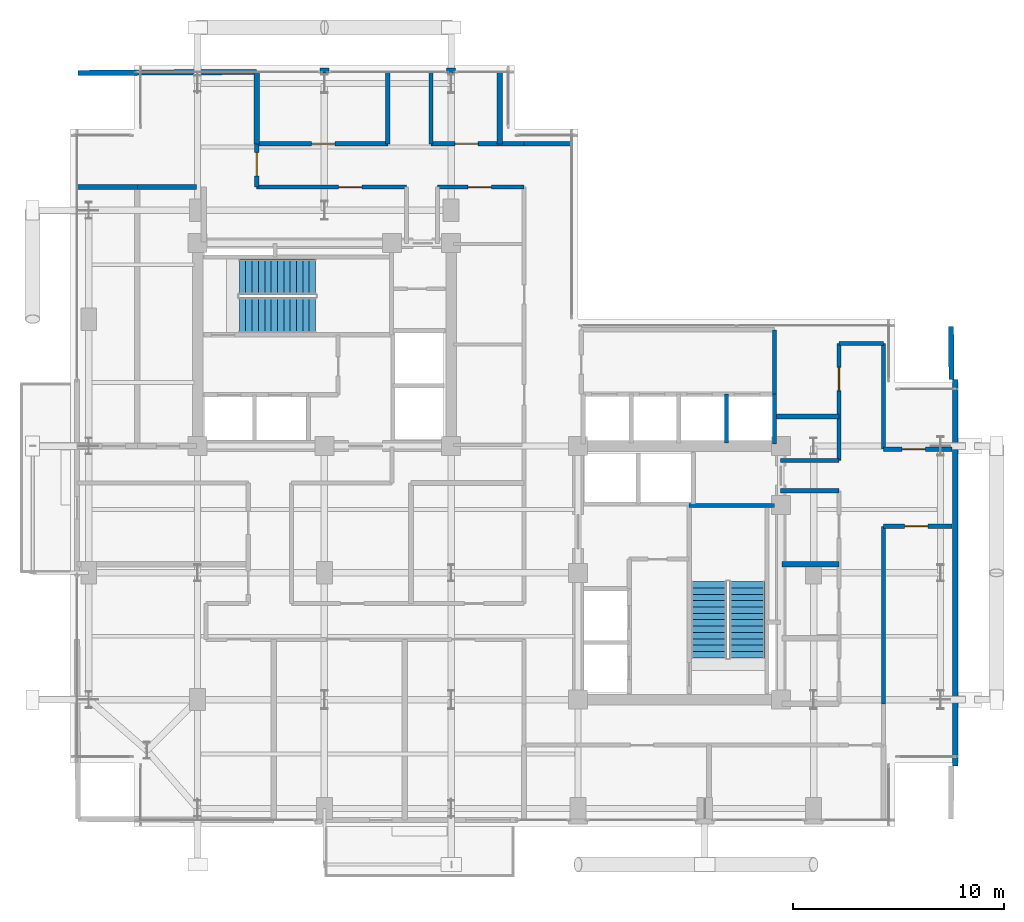
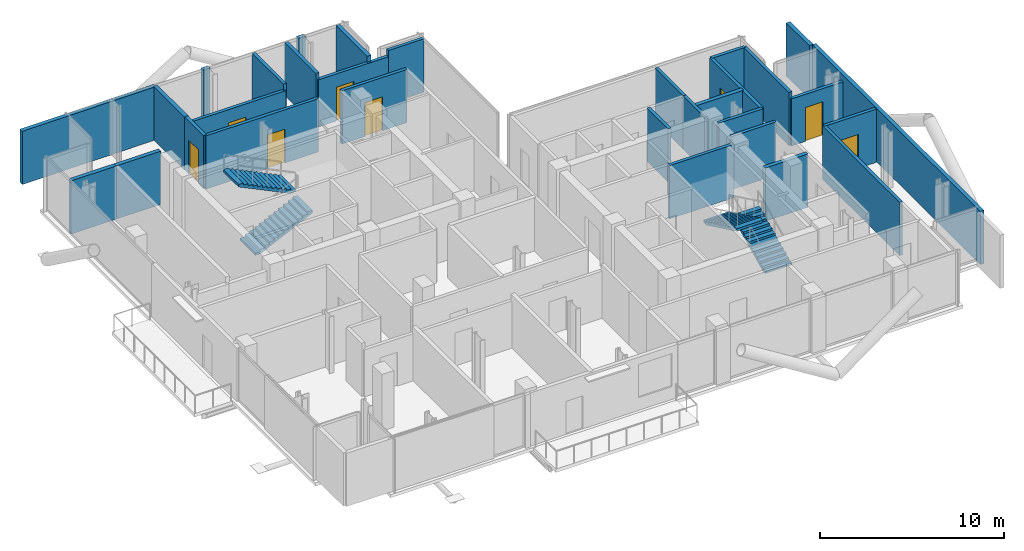
# One storey, part 19 of 21: 31 walls, 8 doors, 4 stair flights, 8 openings, 2 elements without a shape of their own.
"""IFC4 building model written with IfcOpenShell, lengths in metres."""

from ifc_helpers import new_model, si_unit, direction, frame, frame_2d, origin, place, context, subcontext, project, spatial, polyline, rectangle, outline, extrude, material, layer, layer_set, type_object, element, fill, aggregate, save


model = new_model("IFC4")

# Units and contexts
model_context = context("Model", 3, precision=1e-05, world=origin(), true_north=direction((0.0, 1.0)))
body_context = subcontext(model_context, "Body", "Model", "MODEL_VIEW")
ifc_project = project(units=[si_unit("LENGTHUNIT", "METRE"), si_unit("AREAUNIT", "SQUARE_METRE"), si_unit("VOLUMEUNIT", "CUBIC_METRE"), si_unit("PLANEANGLEUNIT", "RADIAN"), si_unit("MASSUNIT", "GRAM", prefix="KILO"), si_unit("THERMODYNAMICTEMPERATUREUNIT", "KELVIN"), si_unit("POWERUNIT", "WATT")], contexts=[model_context])

# Site, building, storey
site_placement = place(None, origin())
site = spatial("IfcSite", under=ifc_project, at=site_placement, CompositionType="ELEMENT")
building_placement = place(site_placement, origin())
building = spatial("IfcBuilding", under=site, at=building_placement, Name="Svarakhadi Broadcast Tower", CompositionType="ELEMENT")
storey_placement = place(building_placement, frame((0.0, 0.0, 187.949951171875)))
storey = spatial("IfcBuildingStorey", under=building, at=storey_placement, Name="L46", CompositionType="ELEMENT", Elevation=187.949951171875)

# Walls
ifc_material_1 = material(Name="Double-Stud Acoustic Studio Partition STC-62", Category="gypsum")
ifc_layer_1 = layer(ifc_material_1, 0.25)
ifc_layer_set_1 = layer_set([ifc_layer_1], Name="Double-Stud Acoustic Studio Partition STC-62")
wall_type_1 = type_object("IfcWallType", Name="Wall_Acoust_250", PredefinedType="PARTITIONING", material=ifc_layer_set_1)
wall_1_placement = place(storey_placement, frame((0.300048828125, 30.25, 0.0), z_axis=(0.0, 0.0, 1.0), x_axis=(1.0, 0.0, 0.0)))
element("IfcWall", 1, at=wall_1_placement, inside=storey, type_object=wall_type_1, Name="L46 Diplomatic Sunset Lounge Wall", PredefinedType="PARTITIONING", context=body_context, shape_type="SweptSolid", body=[
    extrude(rectangle(XDim=2.849853515625, YDim=0.25, at=frame_2d((1.4248046875, 0.0))), origin(), (0.0, 0.0, 1.0), 3.5400390625),
])
wall_2_placement = place(storey_placement, frame((3.14990234375, 30.25, 0.0), z_axis=(0.0, 0.0, 1.0), x_axis=(1.0, 0.0, 0.0)))
element("IfcWall", 2, at=wall_2_placement, inside=storey, type_object=wall_type_1, Name="L46 Ambassador Protocol Study Wall", PredefinedType="PARTITIONING", context=body_context, shape_type="SweptSolid", body=[
    extrude(rectangle(XDim=2.800048828125, YDim=0.25, at=frame_2d((1.39990234375, 0.0))), origin(), (0.0, 0.0, 1.0), 3.5400390625),
])
wall_3_placement = place(storey_placement, frame((33.64990234375, 12.39990234375, 0.0), z_axis=(0.0, 0.0, 1.0), x_axis=(1.0, 0.0, 0.0)))
element("IfcWall", 3, at=wall_3_placement, inside=storey, type_object=wall_type_1, Name="L46 VIP Cigar Lounge Wall", PredefinedType="PARTITIONING", context=body_context, shape_type="SweptSolid", body=[
    extrude(rectangle(XDim=2.7001953125, YDim=0.25, at=frame_2d((1.35009765625, 0.0))), origin(), (0.0, 0.0, 1.0), 3.5400390625),
])
wall_4_placement = place(storey_placement, frame((41.671630859375, 21.14990234375, 0.0), z_axis=(0.0, 0.0, 1.0), x_axis=(-0.008691077992, 0.999962231868, 0.0)))
element("IfcWall", 4, at=wall_4_placement, inside=storey, type_object=wall_type_1, Name="L46 Hotel Harbour Panorama Suite Wall", PredefinedType="PARTITIONING", context=body_context, shape_type="SweptSolid", body=[
    extrude(rectangle(XDim=2.5, YDim=0.25, at=frame_2d((1.25, 0.0))), origin(), (0.0, 0.0, 1.0), 3.5400390625),
])
wall_5_placement = place(storey_placement, frame((33.35009765625, 19.39990234375, 0.0), z_axis=(0.0, 0.0, 1.0), x_axis=(1.0, 0.0, 0.0)))
element("IfcWall", 5, at=wall_5_placement, inside=storey, type_object=wall_type_1, Name="L46 Harbour Sunset Reading Lounge Wall", PredefinedType="PARTITIONING", context=body_context, shape_type="SweptSolid", body=[
    extrude(rectangle(XDim=3.0, YDim=0.25, at=frame_2d((1.5, 0.0))), origin(), (0.0, 0.0, 1.0), 3.5400390625),
])
wall_6_placement = place(storey_placement, frame((0.35009765625, 35.64990234375, 0.0), z_axis=(0.0, 0.0, 1.0), x_axis=(0.99998245966, 0.005922868574, 0.0)))
element("IfcWall", 6, at=wall_6_placement, inside=storey, type_object=wall_type_1, Name="L46 Hospitality Seminar Salon Wall", PredefinedType="PARTITIONING", context=body_context, shape_type="SweptSolid", body=[
    extrude(rectangle(XDim=8.4501953125, YDim=0.25, at=frame_2d((4.22509765625, 0.0))), origin(), (0.0, 0.0, 1.0), 3.5400390625),
])
for number, where, z_axis, x_axis, name in (
    (7, (8.800048828125, 32.300048828125, 0.0), (0.0, 0.0, 1.0), (0.0, 1.0, 0.0), "L46 Event Concierge Office Wall"),
    (8, (20.300048828125, 32.300048828125, 0.0), (0.0, 0.0, 1.0), (0.0, 1.0, 0.0), "L46 VIP Tea Ceremony Salon Wall"),
):
    element("IfcWall", number, at=place(storey_placement, frame(where, z_axis=z_axis, x_axis=x_axis)), inside=storey, type_object=wall_type_1, Name=name, PredefinedType="PARTITIONING", context=body_context, shape_type="SweptSolid", body=[
        extrude(rectangle(XDim=3.39990234375, YDim=0.25, at=frame_2d((1.699951171875, 0.0))), origin(), (0.0, 0.0, 1.0), 3.5400390625),
    ])
ifc_material_2 = material(Name="Concrete C40/50 (IS 456 M50)", Category="concrete")
ifc_layer_2 = layer(ifc_material_2, 0.239990234375)
ifc_layer_set_2 = layer_set([ifc_layer_2], Name="Concrete C40/50 (IS 456 M50)")
wall_type_2 = type_object("IfcWallType", Name="Wall_Ext_240", PredefinedType="SOLIDWALL", material=ifc_layer_set_2)
wall_7_placement = place(storey_placement, frame((41.85009765625, 21.14990234375, 0.0), z_axis=(0.0, 0.0, 1.0), x_axis=(0.0, -1.0, 0.0)))
element("IfcWall", 9, at=wall_7_placement, inside=storey, type_object=wall_type_2, Name="L46 Sky-Pool Raker Anchor Exterior Wall", PredefinedType="SOLIDWALL", context=body_context, shape_type="SweptSolid", body=[
    extrude(rectangle(XDim=18.2998046875, YDim=0.239990234375, at=frame_2d((9.14990234375, 0.0))), origin(), (0.0, 0.0, 1.0), 3.5400390625),
])
for number, where, z_axis, x_axis, name in (
    (10, (11.784912109375, 35.760009765625, 0.0), (0.0, 0.0, 1.0), (1.0, 0.0, 0.0), "L46 Perimeter Bronze Spandrel Closure Wall 01"),
    (11, (17.784912109375, 35.760009765625, 0.0), (0.0, 0.0, 1.0), (1.0, 0.0, 0.0), "L46 Perimeter Bronze Spandrel Closure Wall 02"),
):
    element("IfcWall", number, at=place(storey_placement, frame(where, z_axis=z_axis, x_axis=x_axis)), inside=storey, type_object=wall_type_2, Name=name, PredefinedType="SOLIDWALL", context=body_context, shape_type="SweptSolid", body=[
        extrude(rectangle(XDim=0.43017578125, YDim=0.239990234375, at=frame_2d((0.215087890625, 0.0))), origin(), (0.0, 0.0, 1.0), 3.5400390625),
    ])
ifc_layer_3 = layer(ifc_material_2, 0.199951171875)
ifc_layer_set_3 = layer_set([ifc_layer_3], Name="Concrete C40/50 (IS 456 M50)")
wall_type_3 = type_object("IfcWallType", Name="Wall_Fire_200", PredefinedType="SOLIDWALL", material=ifc_layer_set_3)
for number, where, z_axis, x_axis, name in (
    (12, (36.35009765625, 15.8798828125, 0.0), (0.0, 0.0, 1.0), (-1.0, 0.0, 0.0), "L46 Zone 2/3 Corridor Wall"),
    (13, (33.580078125, 17.320068359375, 0.0), (0.0, 0.0, 1.0), (1.0, 0.0, 0.0), "L46 Zone 2/3 Corridor Wall"),
):
    element("IfcWall", number, at=place(storey_placement, frame(where, z_axis=z_axis, x_axis=x_axis)), inside=storey, type_object=wall_type_3, Name=name, PredefinedType="SOLIDWALL", context=body_context, shape_type="SweptSolid", body=[
        extrude(rectangle(XDim=2.77001953125, YDim=0.199951171875, at=frame_2d((1.385009765625, 0.0))), origin(), (0.0, 0.0, 1.0), 3.5400390625),
    ])

# Wall, opening, door
wall_8_placement = place(storey_placement, frame((36.35009765625, 17.320068359375, 0.0), z_axis=(0.0, 0.0, 1.0), x_axis=(0.0, 1.0, 0.0)))
wall_8 = element("IfcWall", 14, at=wall_8_placement, inside=storey, type_object=wall_type_3, Name="L46 Zone 2/3 Corridor Wall", PredefinedType="SOLIDWALL", context=body_context, shape_type="SweptSolid", body=[
    extrude(rectangle(XDim=5.530029296875, YDim=0.199951171875, at=frame_2d((2.76513671875, 0.0))), origin(), (0.0, 0.0, 1.0), 3.5400390625),
])
opening_1_placement = place(wall_8_placement, frame((3.304931640625, 0.0, 0.0)))
opening_1 = element("IfcOpeningElement", 15, at=opening_1_placement, cuts=wall_8, Name="Opening D-11", PredefinedType="OPENING", context=body_context, shape_type="SweptSolid", body=[
    extrude(rectangle(XDim=1.10009765625, YDim=2.25, at=frame_2d((0.550048828125, 1.125))), frame((0.0, 0.10986328125, 0.0), z_axis=(0.0, -1.0, 0.0), x_axis=(1.0, 0.0, 0.0)), (0.0, 0.0, 1.0), 0.219970703125),
])
ifc_material_3 = material(Name="Solid-Core Teak Veneer Acoustic Timber Leaf", Category="wood")
door_type_1 = type_object("IfcDoorType", Name="Door_Acoust_D11", OperationType="SINGLE_SWING_RIGHT", PredefinedType="DOOR", material=ifc_material_3)
door_1_placement = place(opening_1_placement, origin())
door_1 = element("IfcDoor", 16, at=door_1_placement, inside=storey, type_object=door_type_1, Name="L46 Harbour Sunset Reading Lounge Door", OperationType="SINGLE_SWING_RIGHT", OverallHeight=2.25, OverallWidth=1.10009765625, PredefinedType="DOOR", context=body_context, shape_type="SweptSolid", body=[
    extrude(rectangle(XDim=1.10009765625, YDim=2.25, at=frame_2d((0.550048828125, 1.125))), frame((0.0, 0.02490234375, 0.0), z_axis=(0.0, -1.0, 0.0), x_axis=(1.0, 0.0, 0.0)), (0.0, 0.0, 1.0), 0.050048828125),
])
fill(opening_1, door_1)

# Walls
wall_9_placement = place(storey_placement, frame((36.35009765625, 22.85009765625, 0.0), z_axis=(0.0, 0.0, 1.0), x_axis=(1.0, 0.0, 0.0)))
element("IfcWall", 17, at=wall_9_placement, inside=storey, type_object=wall_type_3, Name="L46 Zone 2/3 Corridor Wall", PredefinedType="SOLIDWALL", context=body_context, shape_type="SweptSolid", body=[
    extrude(rectangle(XDim=2.099853515625, YDim=0.199951171875, at=frame_2d((1.0498046875, 0.0))), origin(), (0.0, 0.0, 1.0), 3.5400390625),
])
wall_10_placement = place(storey_placement, frame((38.449951171875, 22.85009765625, 0.0), z_axis=(0.0, 0.0, 1.0), x_axis=(0.0, -1.0, 0.0)))
element("IfcWall", 18, at=wall_10_placement, inside=storey, type_object=wall_type_3, Name="L46 Zone 2/3 Corridor Wall", PredefinedType="SOLIDWALL", context=body_context, shape_type="SweptSolid", body=[
    extrude(rectangle(XDim=5.0, YDim=0.199951171875, at=frame_2d((2.5, 0.0))), origin(), (0.0, 0.0, 1.0), 3.5400390625),
])

# Wall, opening, door
wall_11_placement = place(storey_placement, frame((38.449951171875, 17.85009765625, 0.0), z_axis=(0.0, 0.0, 1.0), x_axis=(1.0, 0.0, 0.0)))
wall_11 = element("IfcWall", 19, at=wall_11_placement, inside=storey, type_object=wall_type_3, Name="L46 Zone 2/3 Corridor Wall", PredefinedType="SOLIDWALL", context=body_context, shape_type="SweptSolid", body=[
    extrude(rectangle(XDim=3.25, YDim=0.199951171875, at=frame_2d((1.625, 0.0))), origin(), (0.0, 0.0, 1.0), 3.132080078125),
])
opening_2_placement = place(wall_11_placement, frame((0.8798828125, 0.0, 0.0)))
opening_2 = element("IfcOpeningElement", 20, at=opening_2_placement, cuts=wall_11, Name="Opening D-10", PredefinedType="OPENING", context=body_context, shape_type="SweptSolid", body=[
    extrude(rectangle(XDim=1.10009765625, YDim=2.25, at=frame_2d((0.550048828125, 1.125))), frame((0.0, 0.10986328125, 0.0), z_axis=(0.0, -1.0, 0.0), x_axis=(1.0, 0.0, 0.0)), (0.0, 0.0, 1.0), 0.219970703125),
])
door_type_2 = type_object("IfcDoorType", Name="Door_Acoust_D10", OperationType="SINGLE_SWING_LEFT", PredefinedType="DOOR", material=ifc_material_3)
door_2_placement = place(opening_2_placement, origin())
door_2 = element("IfcDoor", 21, at=door_2_placement, inside=storey, type_object=door_type_2, Name="L46 Hotel Harbour Panorama Suite Door", OperationType="SINGLE_SWING_LEFT", OverallHeight=2.25, OverallWidth=1.10009765625, PredefinedType="DOOR", context=body_context, shape_type="SweptSolid", body=[
    extrude(rectangle(XDim=1.10009765625, YDim=2.25, at=frame_2d((0.550048828125, 1.125))), frame((0.0, 0.02490234375, 0.0), z_axis=(0.0, -1.0, 0.0), x_axis=(1.0, 0.0, 0.0)), (0.0, 0.0, 1.0), 0.050048828125),
])
fill(opening_2, door_2)

wall_12_placement = place(storey_placement, frame((41.699951171875, 14.199951171875, 0.0), z_axis=(0.0, 0.0, 1.0), x_axis=(-1.0, 0.0, 0.0)))
wall_12 = element("IfcWall", 22, at=wall_12_placement, inside=storey, type_object=wall_type_3, Name="L46 Zone 2/3 Corridor Wall", PredefinedType="SOLIDWALL", context=body_context, shape_type="SweptSolid", body=[
    extrude(rectangle(XDim=3.25, YDim=0.199951171875, at=frame_2d((1.625, 0.0))), origin(), (0.0, 0.0, 1.0), 3.5400390625),
])
opening_3_placement = place(wall_12_placement, frame((1.14990234375, 0.0, 0.0)))
opening_3 = element("IfcOpeningElement", 23, at=opening_3_placement, cuts=wall_12, Name="Opening D-11", PredefinedType="OPENING", context=body_context, shape_type="SweptSolid", body=[
    extrude(rectangle(XDim=1.10009765625, YDim=2.25, at=frame_2d((0.550048828125, 1.125))), frame((0.0, 0.10986328125, 0.0), z_axis=(0.0, -1.0, 0.0), x_axis=(1.0, 0.0, 0.0)), (0.0, 0.0, 1.0), 0.219970703125),
])
door_3_placement = place(opening_3_placement, origin())
door_3 = element("IfcDoor", 24, at=door_3_placement, inside=storey, type_object=door_type_1, Name="L46 East Harbour Press Salon Door", OperationType="SINGLE_SWING_RIGHT", OverallHeight=2.25, OverallWidth=1.10009765625, PredefinedType="DOOR", context=body_context, shape_type="SweptSolid", body=[
    extrude(rectangle(XDim=1.10009765625, YDim=2.25, at=frame_2d((0.550048828125, 1.125))), frame((0.0, 0.02490234375, 0.0), z_axis=(0.0, -1.0, 0.0), x_axis=(1.0, 0.0, 0.0)), (0.0, 0.0, 1.0), 0.050048828125),
])
fill(opening_3, door_3)

# Wall
wall_13_placement = place(storey_placement, frame((38.449951171875, 14.199951171875, 0.0), z_axis=(0.0, 0.0, 1.0), x_axis=(0.0, -1.0, 0.0)))
element("IfcWall", 25, at=wall_13_placement, inside=storey, type_object=wall_type_3, Name="L46 Zone 2/3 Corridor Wall", PredefinedType="SOLIDWALL", context=body_context, shape_type="SweptSolid", body=[
    extrude(rectangle(XDim=8.39990234375, YDim=0.199951171875, at=frame_2d((4.199951171875, 0.0))), origin(), (0.0, 0.0, 1.0), 3.5400390625),
])

# Wall, opening, door
wall_14_placement = place(storey_placement, frame((21.449951171875, 30.25, 0.0), z_axis=(0.0, 0.0, 1.0), x_axis=(-1.0, 0.0, 0.0)))
wall_14 = element("IfcWall", 26, at=wall_14_placement, inside=storey, type_object=wall_type_3, Name="L46 Zone 2/3 Corridor Wall", PredefinedType="SOLIDWALL", context=body_context, shape_type="SweptSolid", body=[
    extrude(rectangle(XDim=4.099853515625, YDim=0.199951171875, at=frame_2d((2.0498046875, 0.0))), origin(), (0.0, 0.0, 1.0), 3.5400390625),
])
opening_4_placement = place(wall_14_placement, frame((1.550048828125, 0.0, 0.0)))
opening_4 = element("IfcOpeningElement", 27, at=opening_4_placement, cuts=wall_14, Name="Opening D-10", PredefinedType="OPENING", context=body_context, shape_type="SweptSolid", body=[
    extrude(rectangle(XDim=1.10009765625, YDim=2.25, at=frame_2d((0.550048828125, 1.125))), frame((0.0, 0.10986328125, 0.0), z_axis=(0.0, -1.0, 0.0), x_axis=(1.0, 0.0, 0.0)), (0.0, 0.0, 1.0), 0.219970703125),
])
door_4_placement = place(opening_4_placement, origin())
door_4 = element("IfcDoor", 28, at=door_4_placement, inside=storey, type_object=door_type_2, Name="L46 Guest Quiet Study Door", OperationType="SINGLE_SWING_LEFT", OverallHeight=2.25, OverallWidth=1.10009765625, PredefinedType="DOOR", context=body_context, shape_type="SweptSolid", body=[
    extrude(rectangle(XDim=1.10009765625, YDim=2.25, at=frame_2d((0.550048828125, 1.125))), frame((0.0, 0.02490234375, 0.0), z_axis=(0.0, -1.0, 0.0), x_axis=(1.0, 0.0, 0.0)), (0.0, 0.0, 1.0), 0.050048828125),
])
fill(opening_4, door_4)

wall_15_placement = place(storey_placement, frame((15.8798828125, 30.25, 0.0), z_axis=(0.0, 0.0, 1.0), x_axis=(-1.0, 0.0, 0.0)))
wall_15 = element("IfcWall", 29, at=wall_15_placement, inside=storey, type_object=wall_type_3, Name="L46 Zone 2/3 Corridor Wall", PredefinedType="SOLIDWALL", context=body_context, shape_type="SweptSolid", body=[
    extrude(rectangle(XDim=7.079833984375, YDim=0.199951171875, at=frame_2d((3.5400390625, 0.0))), origin(), (0.0, 0.0, 1.0), 3.5400390625),
])
opening_5_placement = place(wall_15_placement, frame((2.110107421875, 0.0, 0.0)))
opening_5 = element("IfcOpeningElement", 30, at=opening_5_placement, cuts=wall_15, Name="Opening D-10", PredefinedType="OPENING", context=body_context, shape_type="SweptSolid", body=[
    extrude(rectangle(XDim=1.10009765625, YDim=2.25, at=frame_2d((0.550048828125, 1.125))), frame((0.0, 0.10986328125, 0.0), z_axis=(0.0, -1.0, 0.0), x_axis=(1.0, 0.0, 0.0)), (0.0, 0.0, 1.0), 0.219970703125),
])
door_5_placement = place(opening_5_placement, origin())
door_5 = element("IfcDoor", 31, at=door_5_placement, inside=storey, type_object=door_type_2, Name="L46 Guest Library Study Door", OperationType="SINGLE_SWING_LEFT", OverallHeight=2.25, OverallWidth=1.10009765625, PredefinedType="DOOR", context=body_context, shape_type="SweptSolid", body=[
    extrude(rectangle(XDim=1.10009765625, YDim=2.25, at=frame_2d((0.550048828125, 1.125))), frame((0.0, 0.02490234375, 0.0), z_axis=(0.0, -1.0, 0.0), x_axis=(1.0, 0.0, 0.0)), (0.0, 0.0, 1.0), 0.050048828125),
])
fill(opening_5, door_5)

wall_16_placement = place(storey_placement, frame((8.800048828125, 30.25, 0.0), z_axis=(0.0, 0.0, 1.0), x_axis=(0.0, 1.0, 0.0)))
wall_16 = element("IfcWall", 32, at=wall_16_placement, inside=storey, type_object=wall_type_3, Name="L46 Zone 2/3 Corridor Wall", PredefinedType="SOLIDWALL", context=body_context, shape_type="SweptSolid", body=[
    extrude(rectangle(XDim=2.050048828125, YDim=0.199951171875, at=frame_2d((1.02490234375, 0.0))), origin(), (0.0, 0.0, 1.0), 3.5400390625),
])
opening_6_placement = place(wall_16_placement, frame((0.52490234375, 0.0, 0.0)))
opening_6 = element("IfcOpeningElement", 33, at=opening_6_placement, cuts=wall_16, Name="Opening D-11", PredefinedType="OPENING", context=body_context, shape_type="SweptSolid", body=[
    extrude(rectangle(XDim=1.10009765625, YDim=2.25, at=frame_2d((0.550048828125, 1.125))), frame((0.0, 0.10986328125, 0.0), z_axis=(0.0, -1.0, 0.0), x_axis=(1.0, 0.0, 0.0)), (0.0, 0.0, 1.0), 0.219970703125),
])
door_6_placement = place(opening_6_placement, origin())
door_6 = element("IfcDoor", 34, at=door_6_placement, inside=storey, type_object=door_type_1, Name="L46 Hospitality Seminar Salon Door", OperationType="SINGLE_SWING_RIGHT", OverallHeight=2.25, OverallWidth=1.10009765625, PredefinedType="DOOR", context=body_context, shape_type="SweptSolid", body=[
    extrude(rectangle(XDim=1.10009765625, YDim=2.25, at=frame_2d((0.550048828125, 1.125))), frame((0.0, 0.02490234375, 0.0), z_axis=(0.0, -1.0, 0.0), x_axis=(1.0, 0.0, 0.0)), (0.0, 0.0, 1.0), 0.050048828125),
])
fill(opening_6, door_6)

wall_17_placement = place(storey_placement, frame((8.800048828125, 32.300048828125, 0.0), z_axis=(0.0, 0.0, 1.0), x_axis=(1.0, 0.0, 0.0)))
wall_17 = element("IfcWall", 35, at=wall_17_placement, inside=storey, type_object=wall_type_3, Name="L46 Zone 2/3 Corridor Wall", PredefinedType="SOLIDWALL", context=body_context, shape_type="SweptSolid", body=[
    extrude(rectangle(XDim=6.199951171875, YDim=0.199951171875, at=frame_2d((3.10009765625, 0.0))), origin(), (0.0, 0.0, 1.0), 3.132080078125),
])
opening_7_placement = place(wall_17_placement, frame((2.60009765625, 0.0, 0.0)))
opening_7 = element("IfcOpeningElement", 36, at=opening_7_placement, cuts=wall_17, Name="Opening D-10", PredefinedType="OPENING", context=body_context, shape_type="SweptSolid", body=[
    extrude(rectangle(XDim=1.10009765625, YDim=2.25, at=frame_2d((0.550048828125, 1.125))), frame((0.0, 0.10986328125, 0.0), z_axis=(0.0, -1.0, 0.0), x_axis=(1.0, 0.0, 0.0)), (0.0, 0.0, 1.0), 0.219970703125),
])
door_7_placement = place(opening_7_placement, origin())
door_7 = element("IfcDoor", 37, at=door_7_placement, inside=storey, type_object=door_type_2, Name="L46 Event Concierge Office Door", OperationType="SINGLE_SWING_LEFT", OverallHeight=2.25, OverallWidth=1.10009765625, PredefinedType="DOOR", context=body_context, shape_type="SweptSolid", body=[
    extrude(rectangle(XDim=1.10009765625, YDim=2.25, at=frame_2d((0.550048828125, 1.125))), frame((0.0, 0.02490234375, 0.0), z_axis=(0.0, -1.0, 0.0), x_axis=(1.0, 0.0, 0.0)), (0.0, 0.0, 1.0), 0.050048828125),
])
fill(opening_7, door_7)

# Walls
for number, where, z_axis, x_axis, name in (
    (38, (15.0, 32.300048828125, 0.0), (0.0, 0.0, 1.0), (0.0, 1.0, 0.0), "L46 Zone 2/3 Corridor Wall"),
    (39, (17.050048828125, 35.699951171875, 0.0), (0.0, 0.0, 1.0), (0.0, -1.0, 0.0), "L46 Zone 2/3 Corridor Wall"),
):
    element("IfcWall", number, at=place(storey_placement, frame(where, z_axis=z_axis, x_axis=x_axis)), inside=storey, type_object=wall_type_3, Name=name, PredefinedType="SOLIDWALL", context=body_context, shape_type="SweptSolid", body=[
        extrude(rectangle(XDim=3.39990234375, YDim=0.199951171875, at=frame_2d((1.699951171875, 0.0))), origin(), (0.0, 0.0, 1.0), 3.5400390625),
    ])

# Wall, opening, door
wall_18_placement = place(storey_placement, frame((17.050048828125, 32.300048828125, 0.0), z_axis=(0.0, 0.0, 1.0), x_axis=(1.0, 0.0, 0.0)))
wall_18 = element("IfcWall", 40, at=wall_18_placement, inside=storey, type_object=wall_type_3, Name="L46 Zone 2/3 Corridor Wall", PredefinedType="SOLIDWALL", context=body_context, shape_type="SweptSolid", body=[
    extrude(rectangle(XDim=4.39990234375, YDim=0.199951171875, at=frame_2d((2.199951171875, 0.0))), origin(), (0.0, 0.0, 1.0), 3.132080078125),
])
opening_8_placement = place(wall_18_placement, frame((1.125, 0.0, 0.0)))
opening_8 = element("IfcOpeningElement", 41, at=opening_8_placement, cuts=wall_18, Name="Opening D-11", PredefinedType="OPENING", context=body_context, shape_type="SweptSolid", body=[
    extrude(rectangle(XDim=1.10009765625, YDim=2.25, at=frame_2d((0.550048828125, 1.125))), frame((0.0, 0.10986328125, 0.0), z_axis=(0.0, -1.0, 0.0), x_axis=(1.0, 0.0, 0.0)), (0.0, 0.0, 1.0), 0.219970703125),
])
door_8_placement = place(opening_8_placement, origin())
door_8 = element("IfcDoor", 42, at=door_8_placement, inside=storey, type_object=door_type_1, Name="L46 VIP Tea Ceremony Salon Door", OperationType="SINGLE_SWING_RIGHT", OverallHeight=2.25, OverallWidth=1.10009765625, PredefinedType="DOOR", context=body_context, shape_type="SweptSolid", body=[
    extrude(rectangle(XDim=1.10009765625, YDim=2.25, at=frame_2d((0.550048828125, 1.125))), frame((0.0, 0.02490234375, 0.0), z_axis=(0.0, -1.0, 0.0), x_axis=(1.0, 0.0, 0.0)), (0.0, 0.0, 1.0), 0.050048828125),
])
fill(opening_8, door_8)

# Walls
wall_19_placement = place(storey_placement, frame((21.449951171875, 32.300048828125, 0.0), z_axis=(0.0, 0.0, 1.0), x_axis=(1.0, 0.0, 0.0)))
element("IfcWall", 43, at=wall_19_placement, inside=storey, type_object=wall_type_3, Name="L46 Zone 2/3 Corridor Wall", PredefinedType="SOLIDWALL", context=body_context, shape_type="SweptSolid", body=[
    extrude(rectangle(XDim=2.25, YDim=0.199951171875, at=frame_2d((1.125, 0.0))), origin(), (0.0, 0.0, 1.0), 3.5400390625),
])
ifc_material_4 = material(Name="Concrete C50/60 (IS 456 M60)", Category="concrete")
ifc_layer_4 = layer(ifc_material_4, 0.199951171875)
ifc_layer_set_4 = layer_set([ifc_layer_4], Name="Concrete C50/60 (IS 456 M60)")
wall_type_4 = type_object("IfcWallType", Name="Wall_Shear_200", PredefinedType="SHEAR", material=ifc_layer_set_4)
wall_20_placement = place(storey_placement, frame((29.260009765625, 15.179931640625, 0.0), z_axis=(0.0, 0.0, 1.0), x_axis=(1.0, 0.0, 0.0)))
element("IfcWall", 44, at=wall_20_placement, inside=storey, type_object=wall_type_4, Name="L46 Stair ST-02 North RC Shaft Wall", PredefinedType="SHEAR", context=body_context, shape_type="SweptSolid", body=[
    extrude(rectangle(XDim=4.0400390625, YDim=0.199951171875, at=frame_2d((2.02001953125, 0.0))), origin(), (0.0, 0.0, 1.0), 3.5400390625),
])
wall_21_placement = place(storey_placement, frame((33.300048828125, 18.10009765625, 0.0), z_axis=(0.0, 0.0, 1.0), x_axis=(0.0, 1.0, 0.0)))
element("IfcWall", 45, at=wall_21_placement, inside=storey, type_object=wall_type_4, Name="L46 Bank B East Shaft Wall", PredefinedType="SHEAR", context=body_context, shape_type="SweptSolid", body=[
    extrude(rectangle(XDim=2.349853515625, YDim=0.199951171875, at=frame_2d((1.1748046875, 0.0))), origin(), (0.0, 0.0, 1.0), 3.5400390625),
])
wall_22_placement = place(storey_placement, frame((31.02001953125, 18.14990234375, 0.0), z_axis=(0.0, 0.0, 1.0), x_axis=(0.0, 1.0, 0.0)))
element("IfcWall", 46, at=wall_22_placement, inside=storey, type_object=wall_type_4, Name="L46 Bank B Divider", PredefinedType="SHEAR", context=body_context, shape_type="SweptSolid", body=[
    extrude(rectangle(XDim=2.300048828125, YDim=0.199951171875, at=frame_2d((1.14990234375, 0.0))), origin(), (0.0, 0.0, 1.0), 3.5400390625),
])
wall_23_placement = place(storey_placement, frame((33.300048828125, 20.449951171875, 0.0), z_axis=(0.0, 0.0, 1.0), x_axis=(0.0, 1.0, 0.0)))
element("IfcWall", 47, at=wall_23_placement, inside=storey, type_object=wall_type_4, Name="L46 Bank B Lift Hall East Wall", PredefinedType="SHEAR", context=body_context, shape_type="SweptSolid", body=[
    extrude(rectangle(XDim=3.050048828125, YDim=0.199951171875, at=frame_2d((1.52490234375, 0.0))), origin(), (0.0, 0.0, 1.0), 3.5400390625),
])

# Stair, stair flights
stair_type = type_object("IfcStairType", Name="Stair_Exit_Core", PredefinedType="HALF_TURN_STAIR", material=ifc_material_2)
stair_1_placement = place(storey_placement, origin())
stair_1 = element("IfcStair", 48, at=stair_1_placement, inside=storey, type_object=stair_type, Name="L46 West Core Protected Exit Stair ST-01", PredefinedType="HALF_TURN_STAIR")
stair_flight_type = type_object("IfcStairFlightType", Name="Flight_RC_1680", PredefinedType="STRAIGHT", material=ifc_material_2)
stair_flight_1_placement = place(storey_placement, frame((7.97998046875, 24.18994140625, 0.0), z_axis=(0.0, 0.0, 1.0), x_axis=(1.0, 0.0, 0.0)))
stair_flight_1 = element("IfcStairFlight", 49, at=stair_flight_1_placement, type_object=stair_flight_type, Name="ST-01 flight 1", NumberOfRisers=13, NumberOfTreads=12, PredefinedType="STRAIGHT", RiserHeight=0.144230769, TreadLength=0.3, context=body_context, shape_type="SweptSolid", body=[
    extrude(outline(polyline([(0.0, 0.0), (0.0, 0.144287109375), (0.300048828125, 0.144287109375), (0.300048828125, 0.28857421875), (0.60009765625, 0.28857421875), (0.60009765625, 0.4326171875), (0.89990234375, 0.4326171875), (0.89990234375, 0.576904296875), (1.199951171875, 0.576904296875), (1.199951171875, 0.72119140625), (1.5, 0.72119140625), (1.5, 0.865478515625), (1.800048828125, 0.865478515625), (1.800048828125, 1.009521484375), (2.10009765625, 1.009521484375), (2.10009765625, 1.15380859375), (2.39990234375, 1.15380859375), (2.39990234375, 1.298095703125), (2.699951171875, 1.298095703125), (2.699951171875, 1.4423828125), (3.0, 1.4423828125), (3.0, 1.58642578125), (3.300048828125, 1.58642578125), (3.300048828125, 1.730712890625), (3.60009765625, 1.730712890625), (3.60009765625, 1.875), (3.60009765625, 1.564453125), (0.345947265625, 0.0), (0.0, 0.0)])), frame((0.0, 0.830078125, 0.0), z_axis=(0.0, -1.0, 0.0), x_axis=(1.0, 0.0, 0.0)), (0.0, 0.0, 1.0), 1.659912109375),
])
stair_flight_2_placement = place(storey_placement, frame((11.580078125, 26.010009765625, 1.875), z_axis=(0.0, 0.0, 1.0), x_axis=(-1.0, 0.0, 0.0)))
stair_flight_2 = element("IfcStairFlight", 50, at=stair_flight_2_placement, type_object=stair_flight_type, Name="ST-01 flight 2", NumberOfRisers=13, NumberOfTreads=12, PredefinedType="STRAIGHT", RiserHeight=0.144230769, TreadLength=0.3, context=body_context, shape_type="SweptSolid", body=[
    extrude(outline(polyline([(0.0, 0.0), (0.0, 0.144287109375), (0.300048828125, 0.144287109375), (0.300048828125, 0.28857421875), (0.60009765625, 0.28857421875), (0.60009765625, 0.4326171875), (0.89990234375, 0.4326171875), (0.89990234375, 0.576904296875), (1.199951171875, 0.576904296875), (1.199951171875, 0.72119140625), (1.5, 0.72119140625), (1.5, 0.865478515625), (1.800048828125, 0.865478515625), (1.800048828125, 1.009521484375), (2.10009765625, 1.009521484375), (2.10009765625, 1.15380859375), (2.39990234375, 1.15380859375), (2.39990234375, 1.298095703125), (2.699951171875, 1.298095703125), (2.699951171875, 1.4423828125), (3.0, 1.4423828125), (3.0, 1.58642578125), (3.300048828125, 1.58642578125), (3.300048828125, 1.730712890625), (3.60009765625, 1.730712890625), (3.60009765625, 1.875), (3.60009765625, 1.564453125), (0.345947265625, 0.0), (0.0, 0.0)])), frame((0.0, 0.830078125, 0.0), z_axis=(0.0, -1.0, 0.0), x_axis=(1.0, 0.0, 0.0)), (0.0, 0.0, 1.0), 1.659912109375),
])
aggregate(stair_1, [stair_flight_1, stair_flight_2])

stair_2_placement = place(storey_placement, origin())
stair_2 = element("IfcStair", 51, at=stair_2_placement, inside=storey, type_object=stair_type, Name="L46 East Core Protected Exit Stair ST-02", PredefinedType="HALF_TURN_STAIR")
stair_flight_3_placement = place(storey_placement, frame((32.010009765625, 7.97998046875, 0.0), z_axis=(0.0, 0.0, 1.0), x_axis=(0.0, 1.0, 0.0)))
stair_flight_3 = element("IfcStairFlight", 52, at=stair_flight_3_placement, type_object=stair_flight_type, Name="ST-02 flight 1", NumberOfRisers=13, NumberOfTreads=12, PredefinedType="STRAIGHT", RiserHeight=0.144230769, TreadLength=0.3, context=body_context, shape_type="SweptSolid", body=[
    extrude(outline(polyline([(0.0, 0.0), (0.0, 0.144287109375), (0.300048828125, 0.144287109375), (0.300048828125, 0.28857421875), (0.60009765625, 0.28857421875), (0.60009765625, 0.4326171875), (0.89990234375, 0.4326171875), (0.89990234375, 0.576904296875), (1.199951171875, 0.576904296875), (1.199951171875, 0.72119140625), (1.5, 0.72119140625), (1.5, 0.865478515625), (1.800048828125, 0.865478515625), (1.800048828125, 1.009521484375), (2.10009765625, 1.009521484375), (2.10009765625, 1.15380859375), (2.39990234375, 1.15380859375), (2.39990234375, 1.298095703125), (2.699951171875, 1.298095703125), (2.699951171875, 1.4423828125), (3.0, 1.4423828125), (3.0, 1.58642578125), (3.300048828125, 1.58642578125), (3.300048828125, 1.730712890625), (3.60009765625, 1.730712890625), (3.60009765625, 1.875), (3.60009765625, 1.564453125), (0.345947265625, 0.0), (0.0, 0.0)])), frame((0.0, 0.830078125, 0.0), z_axis=(0.0, -1.0, 0.0), x_axis=(1.0, 0.0, 0.0)), (0.0, 0.0, 1.0), 1.659912109375),
])
stair_flight_4_placement = place(storey_placement, frame((30.18994140625, 11.580078125, 1.875), z_axis=(0.0, 0.0, 1.0), x_axis=(0.0, -1.0, 0.0)))
stair_flight_4 = element("IfcStairFlight", 53, at=stair_flight_4_placement, type_object=stair_flight_type, Name="ST-02 flight 2", NumberOfRisers=13, NumberOfTreads=12, PredefinedType="STRAIGHT", RiserHeight=0.144230769, TreadLength=0.3, context=body_context, shape_type="SweptSolid", body=[
    extrude(outline(polyline([(0.0, 0.0), (0.0, 0.144287109375), (0.300048828125, 0.144287109375), (0.300048828125, 0.28857421875), (0.60009765625, 0.28857421875), (0.60009765625, 0.4326171875), (0.89990234375, 0.4326171875), (0.89990234375, 0.576904296875), (1.199951171875, 0.576904296875), (1.199951171875, 0.72119140625), (1.5, 0.72119140625), (1.5, 0.865478515625), (1.800048828125, 0.865478515625), (1.800048828125, 1.009521484375), (2.10009765625, 1.009521484375), (2.10009765625, 1.15380859375), (2.39990234375, 1.15380859375), (2.39990234375, 1.298095703125), (2.699951171875, 1.298095703125), (2.699951171875, 1.4423828125), (3.0, 1.4423828125), (3.0, 1.58642578125), (3.300048828125, 1.58642578125), (3.300048828125, 1.730712890625), (3.60009765625, 1.730712890625), (3.60009765625, 1.875), (3.60009765625, 1.564453125), (0.345947265625, 0.0), (0.0, 0.0)])), frame((0.0, 0.830078125, 0.0), z_axis=(0.0, -1.0, 0.0), x_axis=(1.0, 0.0, 0.0)), (0.0, 0.0, 1.0), 1.659912109375),
])
aggregate(stair_2, [stair_flight_3, stair_flight_4])

save(model, "model.ifc")
